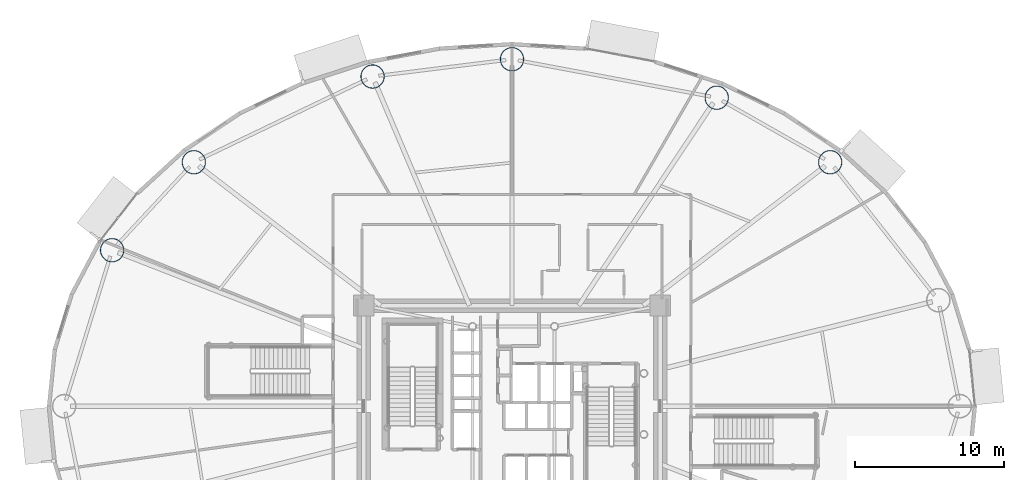
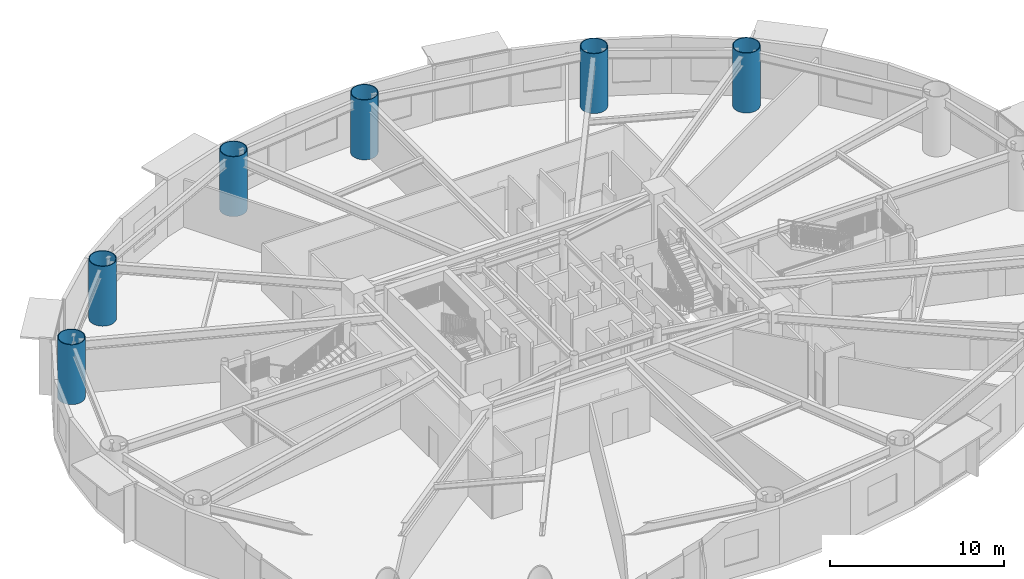
# One storey, part 3 of 32: 6 columns.
"""IFC4 building model written with IfcOpenShell, lengths in metres."""

from ifc_helpers import new_model, si_unit, direction, frame, origin, origin_2d, place, context, subcontext, project, spatial, hollow_circle, extrude, material, material_profile, profile_set, type_object, element, save


model = new_model("IFC4")

# Units and contexts
model_context = context("Model", 3, precision=1e-05, world=origin(), true_north=direction((0.0, 1.0)))
body_context = subcontext(model_context, "Body", "Model", "MODEL_VIEW")
ifc_project = project(units=[si_unit("LENGTHUNIT", "METRE"), si_unit("AREAUNIT", "SQUARE_METRE"), si_unit("VOLUMEUNIT", "CUBIC_METRE"), si_unit("PLANEANGLEUNIT", "RADIAN"), si_unit("MASSUNIT", "GRAM", prefix="KILO")], contexts=[model_context])

# Site, building, storey
site_placement = place(None, origin())
site = spatial("IfcSite", under=ifc_project, at=site_placement, CompositionType="ELEMENT")
building_placement = place(site_placement, origin())
building = spatial("IfcBuilding", under=site, at=building_placement, Name="Linh Dai School and Residence Tower", CompositionType="ELEMENT")
storey_placement = place(building_placement, frame((0.0, 0.0, 40.800048828125)))
storey = spatial("IfcBuildingStorey", under=building, at=storey_placement, Name="L09", CompositionType="ELEMENT", Elevation=40.800048828125)

# Columns
ifc_material = material(Name="Structural Steel S355JR", Category="steel")
ifc_material_profile = material_profile(ifc_material, hollow_circle(Radius=0.800048828125, WallThickness=0.044921875, at=origin_2d()), Name="CHS 1600x45")
ifc_profile_set = profile_set([ifc_material_profile], Name="Structural Steel S355JR")
column_type = type_object("IfcColumnType", Name="COL-MC2", PredefinedType="COLUMN", material=ifc_profile_set)
for number, where, z_axis, x_axis, name in (
    (1, (57.352783203125, 43.369140625, 0.0), (0.0, 0.0, 1.0), (1.0, 0.0, 0.0), "L09 Perimeter CFT Mega-Column MC03"),
    (2, (49.73828125, 47.69921875, 0.0), (0.0, 0.0, 1.0), (1.0, 0.0, 0.0), "L09 Perimeter CFT Mega-Column MC04"),
    (3, (36.0, 50.280029296875, 0.0), (0.0, 0.0, 1.0), (1.0, 0.0, 0.0), "L09 Perimeter CFT Mega-Column MC05"),
    (4, (26.642333984375, 49.119873046875, 0.0), (0.0, 0.0, 1.0), (1.0, 0.0, 0.0), "L09 Perimeter CFT Mega-Column MC06"),
    (5, (14.647216796875, 43.369140625, 0.0), (0.0, 0.0, 1.0), (1.0, 0.0, 0.0), "L09 Perimeter CFT Mega-Column MC07"),
    (6, (9.16455078125, 37.4638671875, 0.0), (0.0, 0.0, 1.0), (1.0, 0.0, 0.0), "L09 Perimeter CFT Mega-Column MC08"),
):
    element("IfcColumn", number, at=place(storey_placement, frame(where, z_axis=z_axis, x_axis=x_axis)), inside=storey, type_object=column_type, Name=name, PredefinedType="COLUMN", context=body_context, shape_type="SweptSolid", body=[
        extrude(hollow_circle(Radius=0.800048828125, WallThickness=0.044921875, at=origin_2d()), origin(), (0.0, 0.0, 1.0), 4.199951171875),
    ])

save(model, "model.ifc")
